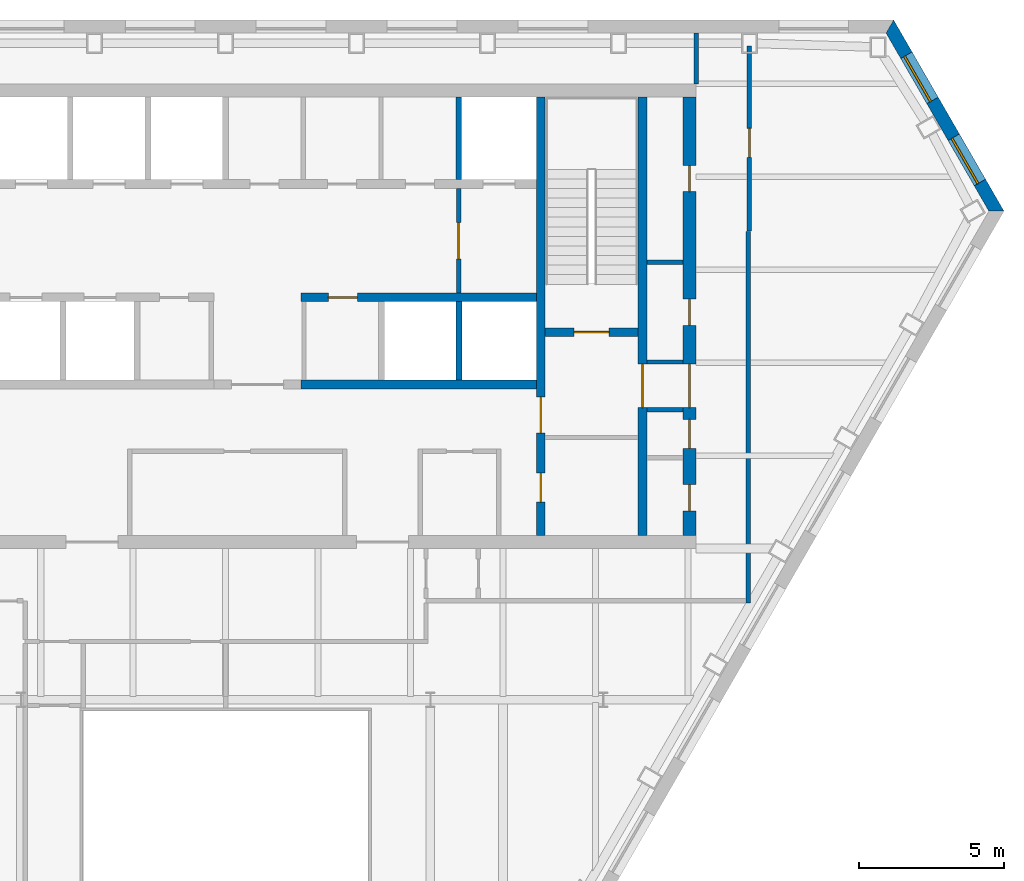
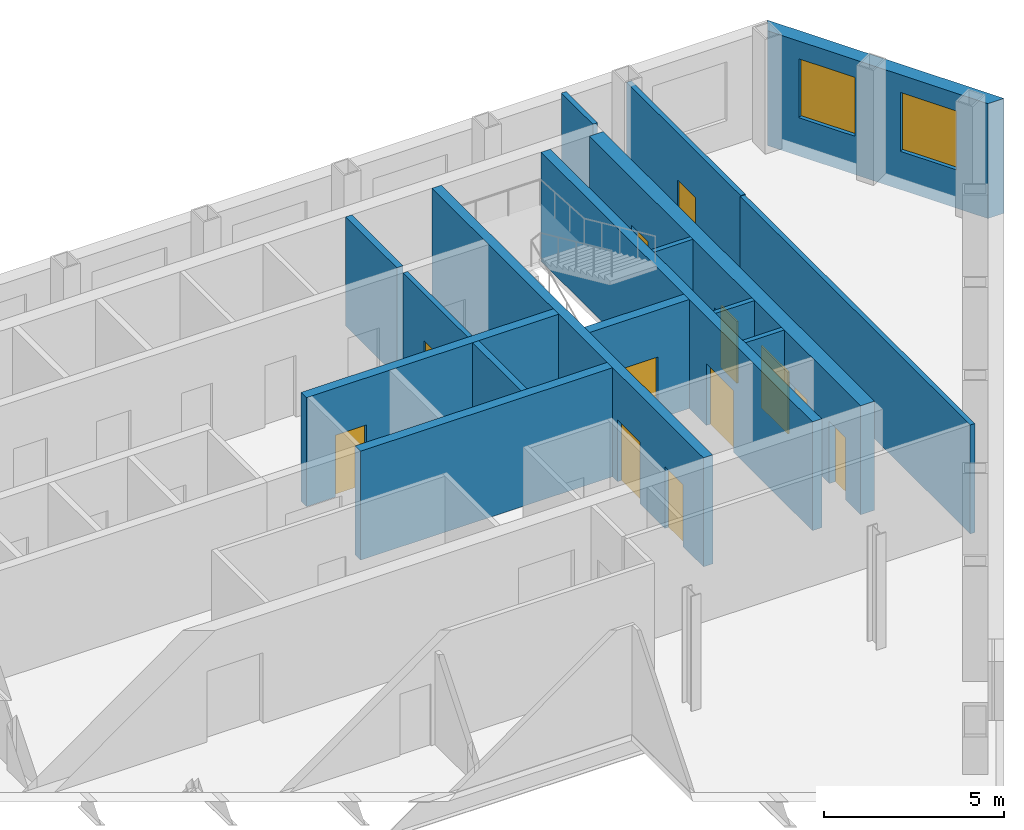
# One storey, part 7 of 10: 16 walls, 12 doors, 2 windows, 14 openings.
"""IFC4 building model written with IfcOpenShell, lengths in metres."""

from ifc_helpers import new_model, si_unit, direction, frame, frame_2d, origin, place, context, subcontext, project, spatial, polyline, rectangle, outline, extrude, material, layer, layer_set, type_object, element, fill, save


model = new_model("IFC4")

# Units and contexts
model_context = context("Model", 3, precision=1e-05, world=origin(), true_north=direction((0.0, 1.0)))
body_context = subcontext(model_context, "Body", "Model", "MODEL_VIEW")
ifc_project = project(units=[si_unit("LENGTHUNIT", "METRE"), si_unit("AREAUNIT", "SQUARE_METRE"), si_unit("VOLUMEUNIT", "CUBIC_METRE"), si_unit("PLANEANGLEUNIT", "RADIAN"), si_unit("MASSUNIT", "GRAM", prefix="KILO")], contexts=[model_context])

# Site, building, storey
site_placement = place(None, origin())
site = spatial("IfcSite", under=ifc_project, at=site_placement, CompositionType="ELEMENT")
building_placement = place(site_placement, origin())
building = spatial("IfcBuilding", under=site, at=building_placement, Name="Njiva Tower", CompositionType="ELEMENT")
storey_placement = place(building_placement, frame((0.0, 0.0, 196.5)))
storey = spatial("IfcBuildingStorey", under=building, at=storey_placement, Name="L43", CompositionType="ELEMENT", Elevation=196.5)

# Wall, openings, doors
ifc_material_1 = material(Name="Concrete C40/50", Category="concrete")
ifc_layer_1 = layer(ifc_material_1, 0.3)
ifc_layer_set_1 = layer_set([ifc_layer_1], Name="Concrete C40/50")
wall_type_1 = type_object("IfcWallType", Name="WT10 Stair enclosure wall 300", PredefinedType="SHEAR", material=ifc_layer_set_1)
wall_1_placement = place(storey_placement, frame((10.85, 2.45, 0.0), z_axis=(0.0, 0.0, 1.0), x_axis=(0.0, 1.0, 0.0)))
wall_1 = element("IfcWall", 1, at=wall_1_placement, inside=storey, type_object=wall_type_1, Name="Stair wall east inner", PredefinedType="SHEAR", context=body_context, shape_type="SweptSolid", body=[
    extrude(rectangle(XDim=15.1, YDim=0.3, at=frame_2d((7.55, 0.0))), origin(), (0.0, 0.0, 1.0), 3.7),
])
opening_1_placement = place(wall_1_placement, frame((3.525, 0.0, 0.0)))
opening_1 = element("IfcOpeningElement", 2, at=opening_1_placement, cuts=wall_1, Name="Opening S14-D920", PredefinedType="OPENING", context=body_context, shape_type="SweptSolid", body=[
    extrude(rectangle(XDim=1.25, YDim=2.1, at=frame_2d((0.625, 1.05))), frame((0.0, 0.16, 0.0), z_axis=(0.0, -1.0, 0.0), x_axis=(1.0, 0.0, 0.0)), (0.0, 0.0, 1.0), 0.32),
])
opening_2_placement = place(wall_1_placement, frame((1.15, 0.0, 0.0)))
opening_2 = element("IfcOpeningElement", 3, at=opening_2_placement, cuts=wall_1, Name="Opening S14-D921", PredefinedType="OPENING", context=body_context, shape_type="SweptSolid", body=[
    extrude(rectangle(XDim=1.0, YDim=2.1, at=frame_2d((0.5, 1.05))), frame((0.0, 0.16, 0.0), z_axis=(0.0, -1.0, 0.0), x_axis=(1.0, 0.0, 0.0)), (0.0, 0.0, 1.0), 0.32),
])
ifc_material_2 = material(Name="Steel door, painted", Category="steel")
door_type_1 = type_object("IfcDoorType", Name="D5 Steel door 1000x2100", OperationType="SINGLE_SWING_LEFT", PredefinedType="DOOR", material=ifc_material_2)
door_1_placement = place(opening_2_placement, origin())
door_1 = element("IfcDoor", 4, at=door_1_placement, inside=storey, type_object=door_type_1, Name="First aid room door", OperationType="SINGLE_SWING_LEFT", OverallHeight=2.1, OverallWidth=1.0, PredefinedType="DOOR", context=body_context, shape_type="SweptSolid", body=[
    extrude(rectangle(XDim=1.0, YDim=2.1, at=frame_2d((0.5, 1.05))), frame((0.0, 0.025, 0.0), z_axis=(0.0, -1.0, 0.0), x_axis=(1.0, 0.0, 0.0)), (0.0, 0.0, 1.0), 0.05),
])
fill(opening_2, door_1)
ifc_material_3 = material(Name="Glazed steel fire door", Category="steel")
door_type_2 = type_object("IfcDoorType", Name="D8 Vestibule corridor door 1250x2100 glazed", OperationType="SINGLE_SWING_LEFT", PredefinedType="DOOR", material=ifc_material_3)
door_2_placement = place(opening_1_placement, origin())
door_2 = element("IfcDoor", 5, at=door_2_placement, inside=storey, type_object=door_type_2, Name="Stair vestibule corridor door", OperationType="SINGLE_SWING_RIGHT", OverallHeight=2.1, OverallWidth=1.25, PredefinedType="DOOR", context=body_context, shape_type="SweptSolid", body=[
    extrude(rectangle(XDim=1.25, YDim=2.1, at=frame_2d((0.625, 1.05))), frame((0.0, 0.025, 0.0), z_axis=(0.0, -1.0, 0.0), x_axis=(1.0, 0.0, 0.0)), (0.0, 0.0, 1.0), 0.05),
])
fill(opening_1, door_2)

# Wall, opening, door
wall_2_placement = place(storey_placement, frame((14.35, 2.45, 0.0), z_axis=(0.0, 0.0, 1.0), x_axis=(0.0, 1.0, 0.0)))
wall_2 = element("IfcWall", 6, at=wall_2_placement, inside=storey, type_object=wall_type_1, Name="Stair wall east outer", PredefinedType="SHEAR", context=body_context, shape_type="SweptSolid", body=[
    extrude(rectangle(XDim=15.1, YDim=0.3, at=frame_2d((7.55, 0.0))), origin(), (0.0, 0.0, 1.0), 3.7),
])
opening_3_placement = place(wall_2_placement, frame((4.4, 0.0, 0.0)))
opening_3 = element("IfcOpeningElement", 7, at=opening_3_placement, cuts=wall_2, Name="Opening S14-D928", PredefinedType="OPENING", context=body_context, shape_type="SweptSolid", body=[
    extrude(rectangle(XDim=1.5, YDim=2.1, at=frame_2d((0.75, 1.05))), frame((0.0, 0.16, 0.0), z_axis=(0.0, -1.0, 0.0), x_axis=(1.0, 0.0, 0.0)), (0.0, 0.0, 1.0), 0.32),
])
door_type_3 = type_object("IfcDoorType", Name="D10 Exit door double 1500x2100 glazed", OperationType="DOUBLE_DOOR_SINGLE_SWING", PredefinedType="DOOR", material=ifc_material_3)
door_3_placement = place(opening_3_placement, origin())
door_3 = element("IfcDoor", 8, at=door_3_placement, inside=storey, type_object=door_type_3, Name="Stair B passage door", OperationType="DOUBLE_DOOR_SINGLE_SWING", OverallHeight=2.1, OverallWidth=1.5, PredefinedType="DOOR", context=body_context, shape_type="SweptSolid", body=[
    extrude(rectangle(XDim=1.5, YDim=2.1, at=frame_2d((0.75, 1.05))), frame((0.0, 0.025, 0.0), z_axis=(0.0, -1.0, 0.0), x_axis=(1.0, 0.0, 0.0)), (0.0, 0.0, 1.0), 0.05),
])
fill(opening_3, door_3)

wall_3_placement = place(storey_placement, frame((11.0, 9.45, 0.0), z_axis=(0.0, 0.0, 1.0), x_axis=(1.0, 0.0, 0.0)))
wall_3 = element("IfcWall", 9, at=wall_3_placement, inside=storey, type_object=wall_type_1, Name="Stair B south wall", PredefinedType="SHEAR", context=body_context, shape_type="SweptSolid", body=[
    extrude(rectangle(XDim=3.2, YDim=0.3, at=frame_2d((1.6, 0.0))), origin(), (0.0, 0.0, 1.0), 3.7),
])
opening_4_placement = place(wall_3_placement, frame((1.0, 0.0, 0.0)))
opening_4 = element("IfcOpeningElement", 10, at=opening_4_placement, cuts=wall_3, Name="Opening S14-D919", PredefinedType="OPENING", context=body_context, shape_type="SweptSolid", body=[
    extrude(rectangle(XDim=1.2, YDim=2.1, at=frame_2d((0.6, 1.05))), frame((0.0, 0.16, 0.0), z_axis=(0.0, -1.0, 0.0), x_axis=(1.0, 0.0, 0.0)), (0.0, 0.0, 1.0), 0.32),
])
door_type_4 = type_object("IfcDoorType", Name="D7 Stair vestibule door 1200x2100 glazed", OperationType="SINGLE_SWING_LEFT", PredefinedType="DOOR", material=ifc_material_3)
door_4_placement = place(opening_4_placement, origin())
door_4 = element("IfcDoor", 11, at=door_4_placement, inside=storey, type_object=door_type_4, Name="Stair B door", OperationType="SINGLE_SWING_LEFT", OverallHeight=2.1, OverallWidth=1.2, PredefinedType="DOOR", context=body_context, shape_type="SweptSolid", body=[
    extrude(rectangle(XDim=1.2, YDim=2.1, at=frame_2d((0.6, 1.05))), frame((0.0, 0.025, 0.0), z_axis=(0.0, -1.0, 0.0), x_axis=(1.0, 0.0, 0.0)), (0.0, 0.0, 1.0), 0.05),
])
fill(opening_4, door_4)

# Wall, openings, doors
ifc_material_4 = material(Name="Concrete C60/75", Category="concrete")
ifc_layer_2 = layer(ifc_material_4, 0.45)
ifc_layer_set_2 = layer_set([ifc_layer_2], Name="Concrete C60/75")
wall_type_2 = type_object("IfcWallType", Name="WT12 Core wall 450", PredefinedType="SHEAR", material=ifc_layer_set_2)
wall_4_placement = place(storey_placement, frame((15.975, 2.45, 0.0), z_axis=(0.0, 0.0, 1.0), x_axis=(0.0, 1.0, 0.0)))
wall_4 = element("IfcWall", 12, at=wall_4_placement, inside=storey, type_object=wall_type_2, Name="Core wall east", PredefinedType="SHEAR", context=body_context, shape_type="SweptSolid", body=[
    extrude(rectangle(XDim=15.1, YDim=0.45, at=frame_2d((7.55, 0.0))), origin(), (0.0, 0.0, 1.0), 3.7),
])
opening_5_placement = place(wall_4_placement, frame((4.4, 0.0, 0.0)))
opening_5 = element("IfcOpeningElement", 13, at=opening_5_placement, cuts=wall_4, Name="Opening S14-D929", PredefinedType="OPENING", context=body_context, shape_type="SweptSolid", body=[
    extrude(rectangle(XDim=1.5, YDim=2.1, at=frame_2d((0.75, 1.05))), frame((0.0, 0.235, 0.0), z_axis=(0.0, -1.0, 0.0), x_axis=(1.0, 0.0, 0.0)), (0.0, 0.0, 1.0), 0.47),
])
opening_6_placement = place(wall_4_placement, frame((0.85, 0.0, 0.0)))
opening_6 = element("IfcOpeningElement", 14, at=opening_6_placement, cuts=wall_4, Name="Opening S14-D930", PredefinedType="OPENING", context=body_context, shape_type="SweptSolid", body=[
    extrude(rectangle(XDim=0.9, YDim=2.1, at=frame_2d((0.45, 1.05))), frame((0.0, 0.235, 0.0), z_axis=(0.0, -1.0, 0.0), x_axis=(1.0, 0.0, 0.0)), (0.0, 0.0, 1.0), 0.47),
])
opening_7_placement = place(wall_4_placement, frame((3.0, 0.0, 0.0)))
opening_7 = element("IfcOpeningElement", 15, at=opening_7_placement, cuts=wall_4, Name="Opening S14-D931", PredefinedType="OPENING", context=body_context, shape_type="SweptSolid", body=[
    extrude(rectangle(XDim=1.0, YDim=2.1, at=frame_2d((0.5, 1.05))), frame((0.0, 0.235, 0.0), z_axis=(0.0, -1.0, 0.0), x_axis=(1.0, 0.0, 0.0)), (0.0, 0.0, 1.0), 0.47),
])
opening_8_placement = place(wall_4_placement, frame((7.2395, 0.0, 0.0)))
opening_8 = element("IfcOpeningElement", 16, at=opening_8_placement, cuts=wall_4, Name="Opening S14-D932", PredefinedType="OPENING", context=body_context, shape_type="SweptSolid", body=[
    extrude(rectangle(XDim=0.9, YDim=2.1, at=frame_2d((0.45, 1.05))), frame((0.0, 0.235, 0.0), z_axis=(0.0, -1.0, 0.0), x_axis=(1.0, 0.0, 0.0)), (0.0, 0.0, 1.0), 0.47),
])
opening_9_placement = place(wall_4_placement, frame((11.8395, 0.0, 0.0)))
opening_9 = element("IfcOpeningElement", 17, at=opening_9_placement, cuts=wall_4, Name="Opening S14-D933", PredefinedType="OPENING", context=body_context, shape_type="SweptSolid", body=[
    extrude(rectangle(XDim=0.9, YDim=2.1, at=frame_2d((0.45, 1.05))), frame((0.0, 0.235, 0.0), z_axis=(0.0, -1.0, 0.0), x_axis=(1.0, 0.0, 0.0)), (0.0, 0.0, 1.0), 0.47),
])
door_5_placement = place(opening_5_placement, origin())
door_5 = element("IfcDoor", 18, at=door_5_placement, inside=storey, type_object=door_type_3, Name="Stair B corridor door", OperationType="DOUBLE_DOOR_SINGLE_SWING", OverallHeight=2.1, OverallWidth=1.5, PredefinedType="DOOR", context=body_context, shape_type="SweptSolid", body=[
    extrude(rectangle(XDim=1.5, YDim=2.1, at=frame_2d((0.75, 1.05))), frame((0.0, 0.025, 0.0), z_axis=(0.0, -1.0, 0.0), x_axis=(1.0, 0.0, 0.0)), (0.0, 0.0, 1.0), 0.05),
])
fill(opening_5, door_5)
door_type_5 = type_object("IfcDoorType", Name="D4 Riser door 900x2100", OperationType="SINGLE_SWING_LEFT", PredefinedType="DOOR", material=ifc_material_2)
door_6_placement = place(opening_8_placement, origin())
door_6 = element("IfcDoor", 19, at=door_6_placement, inside=storey, type_object=door_type_5, Name="Cable riser door", OperationType="SINGLE_SWING_RIGHT", OverallHeight=2.1, OverallWidth=0.9, PredefinedType="DOOR", context=body_context, shape_type="SweptSolid", body=[
    extrude(rectangle(XDim=0.9, YDim=2.1, at=frame_2d((0.45, 1.05))), frame((0.0, 0.025, 0.0), z_axis=(0.0, -1.0, 0.0), x_axis=(1.0, 0.0, 0.0)), (0.0, 0.0, 1.0), 0.05),
])
fill(opening_8, door_6)
door_7_placement = place(opening_7_placement, origin())
door_7 = element("IfcDoor", 20, at=door_7_placement, inside=storey, type_object=door_type_1, Name="Telecoms room door", OperationType="SINGLE_SWING_LEFT", OverallHeight=2.1, OverallWidth=1.0, PredefinedType="DOOR", context=body_context, shape_type="SweptSolid", body=[
    extrude(rectangle(XDim=1.0, YDim=2.1, at=frame_2d((0.5, 1.05))), frame((0.0, 0.025, 0.0), z_axis=(0.0, -1.0, 0.0), x_axis=(1.0, 0.0, 0.0)), (0.0, 0.0, 1.0), 0.05),
])
fill(opening_7, door_7)
ifc_material_5 = material(Name="Steel fire door, painted", Category="steel")
door_type_6 = type_object("IfcDoorType", Name="D6 Fire-rated door 900x2100", OperationType="SINGLE_SWING_LEFT", PredefinedType="DOOR", material=ifc_material_5)
door_8_placement = place(opening_6_placement, origin())
door_8 = element("IfcDoor", 21, at=door_8_placement, inside=storey, type_object=door_type_6, Name="Cable store door", OperationType="SINGLE_SWING_LEFT", OverallHeight=2.1, OverallWidth=0.9, PredefinedType="DOOR", context=body_context, shape_type="SweptSolid", body=[
    extrude(rectangle(XDim=0.9, YDim=2.1, at=frame_2d((0.45, 1.05))), frame((0.0, 0.025, 0.0), z_axis=(0.0, -1.0, 0.0), x_axis=(1.0, 0.0, 0.0)), (0.0, 0.0, 1.0), 0.05),
])
fill(opening_6, door_8)
door_9_placement = place(opening_9_placement, origin())
door_9 = element("IfcDoor", 22, at=door_9_placement, inside=storey, type_object=door_type_6, Name="Cable store door", OperationType="SINGLE_SWING_RIGHT", OverallHeight=2.1, OverallWidth=0.9, PredefinedType="DOOR", context=body_context, shape_type="SweptSolid", body=[
    extrude(rectangle(XDim=0.9, YDim=2.1, at=frame_2d((0.45, 1.05))), frame((0.0, 0.025, 0.0), z_axis=(0.0, -1.0, 0.0), x_axis=(1.0, 0.0, 0.0)), (0.0, 0.0, 1.0), 0.05),
])
fill(opening_9, door_9)

# Wall, opening, door
ifc_material_6 = material(Name="Blockwork", Category="masonry")
ifc_layer_3 = layer(ifc_material_6, 0.15)
ifc_layer_set_3 = layer_set([ifc_layer_3], Name="Blockwork")
wall_type_3 = type_object("IfcWallType", Name="WT2 Lobby partition 150", PredefinedType="PARTITIONING", material=ifc_layer_set_3)
wall_5_placement = place(storey_placement, frame((8.025, 10.8, 0.0), z_axis=(0.0, 0.0, 1.0), x_axis=(0.0, 1.0, 0.0)))
wall_5 = element("IfcWall", 23, at=wall_5_placement, inside=storey, type_object=wall_type_3, Name="Firefighting lobby wall B", PredefinedType="PARTITIONING", context=body_context, shape_type="SweptSolid", body=[
    extrude(rectangle(XDim=3.6, YDim=0.15, at=frame_2d((1.8, 0.0))), origin(), (0.0, 0.0, 1.0), 3.7),
])
opening_10_placement = place(wall_5_placement, frame((1.175, 0.0, 0.0)))
opening_10 = element("IfcOpeningElement", 24, at=opening_10_placement, cuts=wall_5, Name="Opening S14-D918", PredefinedType="OPENING", context=body_context, shape_type="SweptSolid", body=[
    extrude(rectangle(XDim=1.25, YDim=2.1, at=frame_2d((0.625, 1.05))), frame((0.0, 0.085, 0.0), z_axis=(0.0, -1.0, 0.0), x_axis=(1.0, 0.0, 0.0)), (0.0, 0.0, 1.0), 0.17),
])
door_10_placement = place(opening_10_placement, origin())
door_10 = element("IfcDoor", 25, at=door_10_placement, inside=storey, type_object=door_type_2, Name="Stair vestibule corridor door", OperationType="SINGLE_SWING_LEFT", OverallHeight=2.1, OverallWidth=1.25, PredefinedType="DOOR", context=body_context, shape_type="SweptSolid", body=[
    extrude(rectangle(XDim=1.25, YDim=2.1, at=frame_2d((0.625, 1.05))), frame((0.0, 0.025, 0.0), z_axis=(0.0, -1.0, 0.0), x_axis=(1.0, 0.0, 0.0)), (0.0, 0.0, 1.0), 0.05),
])
fill(opening_10, door_10)

# Walls
ifc_material_7 = material(Name="Gypsum board on steel studs", Category="gypsum")
ifc_layer_4 = layer(ifc_material_7, 0.15)
ifc_layer_set_4 = layer_set([ifc_layer_4], Name="Gypsum board on steel studs")
wall_type_4 = type_object("IfcWallType", Name="WT21 Compartment wall 150", PredefinedType="PARTITIONING", material=ifc_layer_set_4)
wall_6_placement = place(storey_placement, frame((16.2, 18.0, 0.0), z_axis=(0.0, 0.0, 1.0), x_axis=(0.0, 1.0, 0.0)))
element("IfcWall", 26, at=wall_6_placement, inside=storey, type_object=wall_type_4, Name="Partition S14-P025", PredefinedType="PARTITIONING", context=body_context, shape_type="SweptSolid", body=[
    extrude(rectangle(XDim=1.75, YDim=0.15, at=frame_2d((0.875, 0.0))), origin(), (0.0, 0.0, 1.0), 3.7),
])
wall_7_placement = place(storey_placement, frame((18.0, 0.125, 0.0), z_axis=(0.0, 0.0, 1.0), x_axis=(0.0, 1.0, 0.0)))
element("IfcWall", 27, at=wall_7_placement, inside=storey, type_object=wall_type_4, Name="Partition S14-P026", PredefinedType="PARTITIONING", context=body_context, shape_type="SweptSolid", body=[
    extrude(rectangle(XDim=12.8, YDim=0.15, at=frame_2d((6.4, 0.0))), origin(), (0.0, 0.0, 1.0), 3.7),
])

# Wall, opening, door
wall_8_placement = place(storey_placement, frame((18.031, 12.943, 0.0), z_axis=(0.0, 0.0, 1.0), x_axis=(0.0, 1.0, 0.0)))
wall_8 = element("IfcWall", 28, at=wall_8_placement, inside=storey, type_object=wall_type_4, Name="Partition S14-P027", PredefinedType="PARTITIONING", context=body_context, shape_type="SweptSolid", body=[
    extrude(rectangle(XDim=6.357, YDim=0.15, at=frame_2d((3.1785, 0.0))), origin(), (0.0, 0.0, 1.0), 3.7),
])
opening_11_placement = place(wall_8_placement, frame((2.527, 0.0, 0.0)))
opening_11 = element("IfcOpeningElement", 29, at=opening_11_placement, cuts=wall_8, Name="Opening S14-D012", PredefinedType="OPENING", context=body_context, shape_type="SweptSolid", body=[
    extrude(rectangle(XDim=1.0, YDim=2.1, at=frame_2d((0.5, 1.05))), frame((0.0, 0.085, 0.0), z_axis=(0.0, -1.0, 0.0), x_axis=(1.0, 0.0, 0.0)), (0.0, 0.0, 1.0), 0.17),
])
ifc_material_8 = material(Name="Steel fire door set", Category="steel")
door_type_7 = type_object("IfcDoorType", Name="D37 Fire door 1000x2100", OperationType="SINGLE_SWING_LEFT", PredefinedType="DOOR", material=ifc_material_8)
door_11_placement = place(opening_11_placement, origin())
door_11 = element("IfcDoor", 30, at=door_11_placement, inside=storey, type_object=door_type_7, Name="Door S14-D012", OperationType="SINGLE_SWING_LEFT", OverallHeight=2.1, OverallWidth=1.0, PredefinedType="DOOR", context=body_context, shape_type="SweptSolid", body=[
    extrude(rectangle(XDim=1.0, YDim=2.1, at=frame_2d((0.5, 1.05))), frame((0.0, 0.025, 0.0), z_axis=(0.0, -1.0, 0.0), x_axis=(1.0, 0.0, 0.0)), (0.0, 0.0, 1.0), 0.05),
])
fill(opening_11, door_11)

# Walls
ifc_layer_5 = layer(ifc_material_6, 0.15)
ifc_layer_set_5 = layer_set([ifc_layer_5], Name="Blockwork")
wall_type_5 = type_object("IfcWallType", Name="WT3 Riser partition 150", PredefinedType="PARTITIONING", material=ifc_layer_set_5)
wall_9_placement = place(storey_placement, frame((14.5, 11.8539, 0.0), z_axis=(0.0, 0.0, 1.0), x_axis=(1.0, 0.0, 0.0)))
element("IfcWall", 31, at=wall_9_placement, inside=storey, type_object=wall_type_5, Name="Partition strip E10", PredefinedType="PARTITIONING", context=body_context, shape_type="SweptSolid", body=[
    extrude(rectangle(XDim=1.25, YDim=0.15, at=frame_2d((0.625, 0.0))), origin(), (0.0, 0.0, 1.0), 3.7),
])
ifc_layer_6 = layer(ifc_material_6, 0.15)
ifc_layer_set_6 = layer_set([ifc_layer_6], Name="Blockwork")
wall_type_6 = type_object("IfcWallType", Name="WT4 Stair partition 150", PredefinedType="PARTITIONING", material=ifc_layer_set_6)
for number, where, z_axis, x_axis, name in (
    (32, (14.5, 6.775, 0.0), (0.0, 0.0, 1.0), (1.0, 0.0, 0.0), "Stair B exit passage wall south"),
    (33, (14.5, 8.425, 0.0), (0.0, 0.0, 1.0), (1.0, 0.0, 0.0), "Stair B exit passage wall north"),
):
    element("IfcWall", number, at=place(storey_placement, frame(where, z_axis=z_axis, x_axis=x_axis)), inside=storey, type_object=wall_type_6, Name=name, PredefinedType="PARTITIONING", context=body_context, shape_type="SweptSolid", body=[
        extrude(rectangle(XDim=1.25, YDim=0.15, at=frame_2d((0.625, 0.0))), origin(), (0.0, 0.0, 1.0), 3.7),
    ])
ifc_layer_7 = layer(ifc_material_1, 0.2)
ifc_layer_set_7 = layer_set([ifc_layer_7], Name="Concrete C40/50")
wall_type_7 = type_object("IfcWallType", Name="WT6 Lift shaft wall 200", PredefinedType="SHEAR", material=ifc_layer_set_7)
wall_10_placement = place(storey_placement, frame((8.025, 14.7, 0.0), z_axis=(0.0, 0.0, 1.0), x_axis=(0.0, 1.0, 0.0)))
element("IfcWall", 34, at=wall_10_placement, inside=storey, type_object=wall_type_7, Name="Shaft wall CN7", PredefinedType="SHEAR", context=body_context, shape_type="SweptSolid", body=[
    extrude(rectangle(XDim=2.85, YDim=0.2, at=frame_2d((1.425, 0.0))), origin(), (0.0, 0.0, 1.0), 3.7),
])
wall_11_placement = place(storey_placement, frame((8.0333, 7.8, 0.0), z_axis=(0.0, 0.0, 1.0), x_axis=(0.0, 1.0, 0.0)))
element("IfcWall", 35, at=wall_11_placement, inside=storey, type_object=wall_type_7, Name="Shaft wall CS7", PredefinedType="SHEAR", context=body_context, shape_type="SweptSolid", body=[
    extrude(rectangle(XDim=2.7, YDim=0.2, at=frame_2d((1.35, 0.0))), origin(), (0.0, 0.0, 1.0), 3.7),
])

# Wall, opening, door
ifc_layer_8 = layer(ifc_material_1, 0.3)
ifc_layer_set_8 = layer_set([ifc_layer_8], Name="Concrete C40/50")
wall_type_8 = type_object("IfcWallType", Name="WT7 Lift shaft wall 300", PredefinedType="SHEAR", material=ifc_layer_set_8)
wall_12_placement = place(storey_placement, frame((2.6, 10.65, 0.0), z_axis=(0.0, 0.0, 1.0), x_axis=(1.0, 0.0, 0.0)))
wall_12 = element("IfcWall", 36, at=wall_12_placement, inside=storey, type_object=wall_type_8, Name="Shaft wall south row lobby side E", PredefinedType="SHEAR", context=body_context, shape_type="SweptSolid", body=[
    extrude(rectangle(XDim=8.1, YDim=0.3, at=frame_2d((4.05, 0.0))), origin(), (0.0, 0.0, 1.0), 3.7),
])
opening_12_placement = place(wall_12_placement, frame((0.9334, 0.0, 0.0)))
opening_12 = element("IfcOpeningElement", 37, at=opening_12_placement, cuts=wall_12, Name="Opening S14-D913", PredefinedType="OPENING", context=body_context, shape_type="SweptSolid", body=[
    extrude(rectangle(XDim=1.0, YDim=2.1, at=frame_2d((0.5, 1.05))), frame((0.0, 0.16, 0.0), z_axis=(0.0, -1.0, 0.0), x_axis=(1.0, 0.0, 0.0)), (0.0, 0.0, 1.0), 0.32),
])
door_12_placement = place(opening_12_placement, origin())
door_12 = element("IfcDoor", 38, at=door_12_placement, inside=storey, type_object=door_type_1, Name="Prayer room door", OperationType="SINGLE_SWING_LEFT", OverallHeight=2.1, OverallWidth=1.0, PredefinedType="DOOR", context=body_context, shape_type="SweptSolid", body=[
    extrude(rectangle(XDim=1.0, YDim=2.1, at=frame_2d((0.5, 1.05))), frame((0.0, 0.025, 0.0), z_axis=(0.0, -1.0, 0.0), x_axis=(1.0, 0.0, 0.0)), (0.0, 0.0, 1.0), 0.05),
])
fill(opening_12, door_12)

# Wall
wall_13_placement = place(storey_placement, frame((2.6, 7.65, 0.0), z_axis=(0.0, 0.0, 1.0), x_axis=(1.0, 0.0, 0.0)))
element("IfcWall", 39, at=wall_13_placement, inside=storey, type_object=wall_type_8, Name="Shaft wall south row back E", PredefinedType="SHEAR", context=body_context, shape_type="SweptSolid", body=[
    extrude(rectangle(XDim=8.1, YDim=0.3, at=frame_2d((4.05, 0.0))), origin(), (0.0, 0.0, 1.0), 3.7),
])

# Wall, openings, windows
ifc_material_9 = material(Name="Brick masonry, buff", Category="masonry")
ifc_layer_9 = layer(ifc_material_9, 0.45)
ifc_layer_set_9 = layer_set([ifc_layer_9], Name="Brick masonry, buff")
wall_type_9 = type_object("IfcWallType", Name="WT94 Brick pier and spandrel wall 450, buff", PredefinedType="SOLIDWALL", material=ifc_layer_set_9)
wall_14_placement = place(storey_placement, frame((26.5402, 13.6182, -0.4), z_axis=(0.0, 0.0, 1.0), x_axis=(-0.499999980465, 0.866025415063, 0.0)))
wall_14 = element("IfcWall", 40, at=wall_14_placement, inside=storey, type_object=wall_type_9, Name="Facade wall NE", PredefinedType="SOLIDWALL", context=body_context, shape_type="SweptSolid", body=[
    extrude(outline(polyline([(-0.1299, -0.225), (7.4701, -0.225), (7.2103, 0.225), (0.1299, 0.225), (-0.1299, -0.225)])), origin(), (0.0, 0.0, 1.0), 3.9),
])
opening_13_placement = place(wall_14_placement, frame((1.1394, 0.0, 1.3)))
opening_13 = element("IfcOpeningElement", 41, at=opening_13_placement, cuts=wall_14, Name="Opening S14-W33", PredefinedType="OPENING", context=body_context, shape_type="SweptSolid", body=[
    extrude(rectangle(XDim=1.8, YDim=2.0, at=frame_2d((0.9, 1.0))), frame((0.0, 0.235, 0.0), z_axis=(0.0, -1.0, 0.0), x_axis=(1.0, 0.0, 0.0)), (0.0, 0.0, 1.0), 0.47),
])
opening_14_placement = place(wall_14_placement, frame((4.4007, 0.0, 1.3)))
opening_14 = element("IfcOpeningElement", 42, at=opening_14_placement, cuts=wall_14, Name="Opening S14-W34", PredefinedType="OPENING", context=body_context, shape_type="SweptSolid", body=[
    extrude(rectangle(XDim=1.8, YDim=2.0, at=frame_2d((0.9, 1.0))), frame((0.0, 0.235, 0.0), z_axis=(0.0, -1.0, 0.0), x_axis=(1.0, 0.0, 0.0)), (0.0, 0.0, 1.0), 0.47),
])
ifc_material_10 = material(Name="Clear glazing in aluminium frame", Category="aluminium")
window_type = type_object("IfcWindowType", Name="W94 Deep-set window 1800x2000", PartitioningType="SINGLE_PANEL", PredefinedType="WINDOW", material=ifc_material_10)
window_1_placement = place(opening_13_placement, origin())
window_1 = element("IfcWindow", 43, at=window_1_placement, inside=storey, type_object=window_type, Name="Window", OverallHeight=2.0, OverallWidth=1.8, PartitioningType="SINGLE_PANEL", PredefinedType="WINDOW", context=body_context, shape_type="SweptSolid", body=[
    extrude(rectangle(XDim=1.8, YDim=2.0, at=frame_2d((0.9, 1.0))), frame((0.0, 0.105, 0.0), z_axis=(0.0, -1.0, 0.0), x_axis=(1.0, 0.0, 0.0)), (0.0, 0.0, 1.0), 0.06),
])
fill(opening_13, window_1)
window_2_placement = place(opening_14_placement, origin())
window_2 = element("IfcWindow", 44, at=window_2_placement, inside=storey, type_object=window_type, Name="Window", OverallHeight=2.0, OverallWidth=1.8, PartitioningType="SINGLE_PANEL", PredefinedType="WINDOW", context=body_context, shape_type="SweptSolid", body=[
    extrude(rectangle(XDim=1.8, YDim=2.0, at=frame_2d((0.9, 1.0))), frame((0.0, 0.105, 0.0), z_axis=(0.0, -1.0, 0.0), x_axis=(1.0, 0.0, 0.0)), (0.0, 0.0, 1.0), 0.06),
])
fill(opening_14, window_2)

save(model, "model.ifc")
